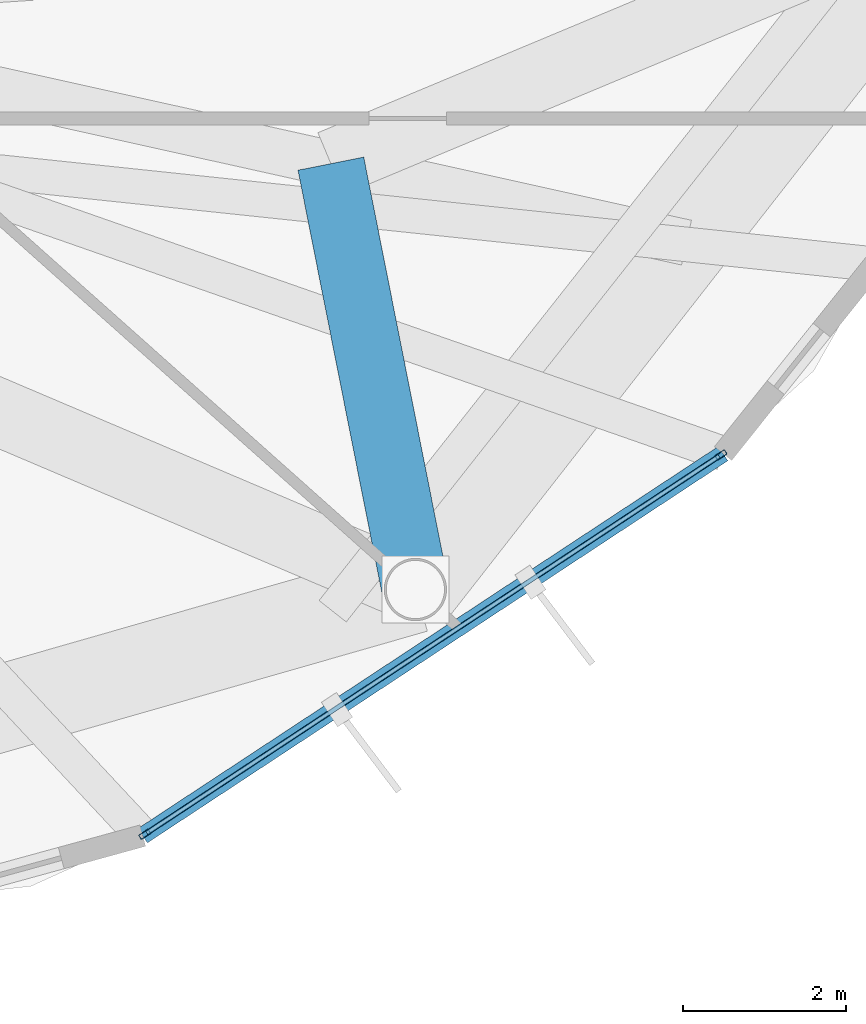
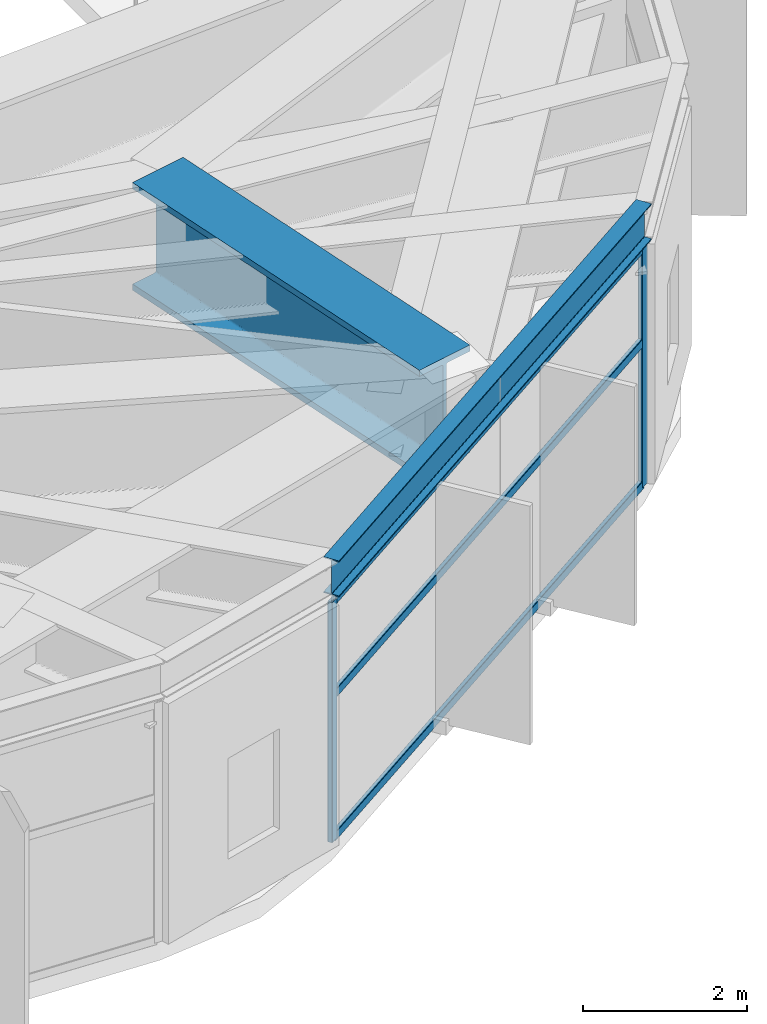
# One storey, part 8 of 27: 5 members, 2 beams, 1 element without a shape of its own.
"""IFC4 building model written with IfcOpenShell, lengths in metres."""

from ifc_helpers import new_model, si_unit, direction, frame, origin, origin_2d, place, context, subcontext, project, spatial, hollow_rectangle, i_section, extrude, material, layer, layer_set, material_profile, profile_set, type_object, element, aggregate, save


model = new_model("IFC4")

# Units and contexts
model_context = context("Model", 3, precision=1e-05, world=origin(), true_north=direction((0.0, 1.0)))
body_context = subcontext(model_context, "Body", "Model", "MODEL_VIEW")
ifc_project = project(units=[si_unit("LENGTHUNIT", "METRE"), si_unit("AREAUNIT", "SQUARE_METRE"), si_unit("VOLUMEUNIT", "CUBIC_METRE"), si_unit("PLANEANGLEUNIT", "RADIAN"), si_unit("MASSUNIT", "GRAM", prefix="KILO")], contexts=[model_context])

# Site, building, storey
site_placement = place(None, origin())
site = spatial("IfcSite", under=ifc_project, at=site_placement, CompositionType="ELEMENT")
building_placement = place(site_placement, origin())
building = spatial("IfcBuilding", under=site, at=building_placement, Name="Soratama Intermodal Tower", CompositionType="ELEMENT")
storey_placement = place(building_placement, frame((0.0, 0.0, 288.550048828125)))
storey = spatial("IfcBuildingStorey", under=building, at=storey_placement, Name="L73", CompositionType="ELEMENT", Elevation=288.550048828125)

# Beams
ifc_material_1 = material(Name="Structural steel ASTM A992 Grade 50", Category="steel")
ifc_material_profile_1 = material_profile(ifc_material_1, i_section(OverallWidth=0.2099609375, OverallDepth=0.537109375, WebThickness=0.010986328125, FlangeThickness=0.017333984375, FilletRadius=0.012939453125, at=origin_2d()), Name="W21X68")
ifc_profile_set_1 = profile_set([ifc_material_profile_1], Name="Structural steel ASTM A992 Grade 50")
beam_type_1 = type_object("IfcBeamType", Name="BM-SPN-W21X68", PredefinedType="SPANDREL", material=ifc_profile_set_1)
beam_1_placement = place(storey_placement, frame((51.281982421875, 7.72900390625, 3.926513671875), z_axis=(0.835257410057, 0.549859126454, 0.0), x_axis=(-0.549859126454, 0.835257410057, 0.0)))
element("IfcBeam", 1, at=beam_1_placement, inside=storey, type_object=beam_type_1, Name="BS-L73-F07", PredefinedType="SPANDREL", context=body_context, shape_type="SweptSolid", body=[
    extrude(i_section(OverallWidth=0.2099609375, OverallDepth=0.537109375, WebThickness=0.010986328125, FlangeThickness=0.017333984375, FilletRadius=0.012939453125, at=origin_2d()), origin(), (0.0, 0.0, 1.0), 8.50048828125),
])
ifc_material_2 = material(Name="Structural steel ASTM A992 Grade 50", Category="steel")
ifc_material_profile_2 = material_profile(ifc_material_2, i_section(OverallWidth=0.820068359375, OverallDepth=1.60205078125, WebThickness=0.055908203125, FlangeThickness=0.092041015625, FilletRadius=0.02392578125, at=origin_2d()), Name="PG1600X650")
ifc_profile_set_2 = profile_set([ifc_material_profile_2], Name="Structural steel ASTM A992 Grade 50")
beam_type_2 = type_object("IfcBeamType", Name="BM-ZSTEP-PG1600", PredefinedType="BEAM", material=ifc_profile_set_2)
beam_2_placement = place(storey_placement, frame((54.617919921875, 10.740966796875, 3.39404296875), z_axis=(-0.194692556373, 0.980864317066, 0.0), x_axis=(-0.980864317066, -0.194692556373, 0.0)))
element("IfcBeam", 2, at=beam_2_placement, inside=storey, type_object=beam_type_2, Name="BM-L73-ZSTEP-A09", PredefinedType="BEAM", context=body_context, shape_type="SweptSolid", body=[
    extrude(i_section(OverallWidth=0.820068359375, OverallDepth=1.60205078125, WebThickness=0.055908203125, FlangeThickness=0.092041015625, FilletRadius=0.02392578125, at=origin_2d()), origin(), (0.0, 0.0, 1.0), 5.310546875),
])

# Curtain wall, members
ifc_material_3 = material(Name="Double-glazed aluminium curtain wall", Category="aluminium")
ifc_layer = layer(ifc_material_3, 0.159912109375)
ifc_layer_set = layer_set([ifc_layer], Name="Double-glazed aluminium curtain wall")
curtain_wall_type = type_object("IfcCurtainWallType", Name="CW-SYS-6", PredefinedType="NOTDEFINED", material=ifc_layer_set)
curtain_wall_placement = place(storey_placement, origin())
curtain_wall = element("IfcCurtainWall", 3, at=curtain_wall_placement, inside=storey, type_object=curtain_wall_type, Name="L73 Faceted Curtain Wall F07", PredefinedType="NOTDEFINED")
ifc_material_4 = material(Name="Anodised aluminium AA 6063-T6", Category="aluminium")
ifc_material_profile_3 = material_profile(ifc_material_4, hollow_rectangle(XDim=0.06494140625, YDim=0.139892578125, WallThickness=0.0048828125, InnerFilletRadius=0.0048828125, OuterFilletRadius=0.010009765625, at=origin_2d()), Name="CWM140X65X5")
ifc_profile_set_3 = profile_set([ifc_material_profile_3], Name="Anodised aluminium AA 6063-T6")
member_type_1 = type_object("IfcMemberType", Name="MT-CWM-6", PredefinedType="MULLION", material=ifc_profile_set_3)
member_1_placement = place(storey_placement, frame((51.307373046875, 7.74560546875, 0.0), z_axis=(0.0, 0.0, 1.0), x_axis=(-0.549890891123, 0.835236498161, 0.0)))
member_1 = element("IfcMember", 4, at=member_1_placement, type_object=member_type_1, Name="CW-6 mullion 1", PredefinedType="MULLION", context=body_context, shape_type="SweptSolid", body=[
    extrude(hollow_rectangle(XDim=0.06494140625, YDim=0.139892578125, WallThickness=0.0048828125, InnerFilletRadius=0.0048828125, OuterFilletRadius=0.010009765625, at=origin_2d()), origin(), (0.0, 0.0, 1.0), 3.573974609375),
])
member_2_placement = place(storey_placement, frame((58.356689453125, 12.38671875, 0.0), z_axis=(0.0, 0.0, 1.0), x_axis=(-0.549890891123, 0.835236498161, 0.0)))
member_2 = element("IfcMember", 5, at=member_2_placement, type_object=member_type_1, Name="CW-6 mullion 2", PredefinedType="MULLION", context=body_context, shape_type="SweptSolid", body=[
    extrude(hollow_rectangle(XDim=0.06494140625, YDim=0.139892578125, WallThickness=0.0048828125, InnerFilletRadius=0.0048828125, OuterFilletRadius=0.010009765625, at=origin_2d()), origin(), (0.0, 0.0, 1.0), 3.573974609375),
])
ifc_material_5 = material(Name="Anodised aluminium AA 6063-T6", Category="aluminium")
ifc_material_profile_4 = material_profile(ifc_material_5, hollow_rectangle(XDim=0.06005859375, YDim=0.1298828125, WallThickness=0.0048828125, InnerFilletRadius=0.0048828125, OuterFilletRadius=0.010009765625, at=origin_2d()), Name="CWT130X60X5")
ifc_profile_set_4 = profile_set([ifc_material_profile_4], Name="Anodised aluminium AA 6063-T6")
member_type_2 = type_object("IfcMemberType", Name="TT-CWT-2", PredefinedType="USERDEFINED", material=ifc_profile_set_4)
member_3_placement = place(storey_placement, frame((51.33251953125, 7.76220703125, 0.030029296875), z_axis=(0.835245602402, 0.549877062323, 0.0), x_axis=(-0.549877062323, 0.835245602402, 0.0)))
member_3 = element("IfcMember", 6, at=member_3_placement, type_object=member_type_2, Name="CW-6 transom 1.1", ObjectType="TRANSOM", PredefinedType="USERDEFINED", context=body_context, shape_type="SweptSolid", body=[
    extrude(hollow_rectangle(XDim=0.06005859375, YDim=0.1298828125, WallThickness=0.0048828125, InnerFilletRadius=0.0048828125, OuterFilletRadius=0.010009765625, at=origin_2d()), origin(), (0.0, 0.0, 1.0), 8.3798828125),
])
member_4_placement = place(storey_placement, frame((51.33251953125, 7.76220703125, 2.14990234375), z_axis=(0.835245602402, 0.549877062323, 0.0), x_axis=(-0.549877062323, 0.835245602402, 0.0)))
member_4 = element("IfcMember", 7, at=member_4_placement, type_object=member_type_2, Name="CW-6 transom 1.2", ObjectType="TRANSOM", PredefinedType="USERDEFINED", context=body_context, shape_type="SweptSolid", body=[
    extrude(hollow_rectangle(XDim=0.06005859375, YDim=0.1298828125, WallThickness=0.0048828125, InnerFilletRadius=0.0048828125, OuterFilletRadius=0.010009765625, at=origin_2d()), origin(), (0.0, 0.0, 1.0), 8.3798828125),
])
member_5_placement = place(storey_placement, frame((51.33251953125, 7.76220703125, 3.5439453125), z_axis=(0.835245602402, 0.549877062323, 0.0), x_axis=(-0.549877062323, 0.835245602402, 0.0)))
member_5 = element("IfcMember", 8, at=member_5_placement, type_object=member_type_2, Name="CW-6 transom 1.3", ObjectType="TRANSOM", PredefinedType="USERDEFINED", context=body_context, shape_type="SweptSolid", body=[
    extrude(hollow_rectangle(XDim=0.06005859375, YDim=0.1298828125, WallThickness=0.0048828125, InnerFilletRadius=0.0048828125, OuterFilletRadius=0.010009765625, at=origin_2d()), origin(), (0.0, 0.0, 1.0), 8.3798828125),
])
aggregate(curtain_wall, [member_1, member_2, member_3, member_4, member_5])

save(model, "model.ifc")
